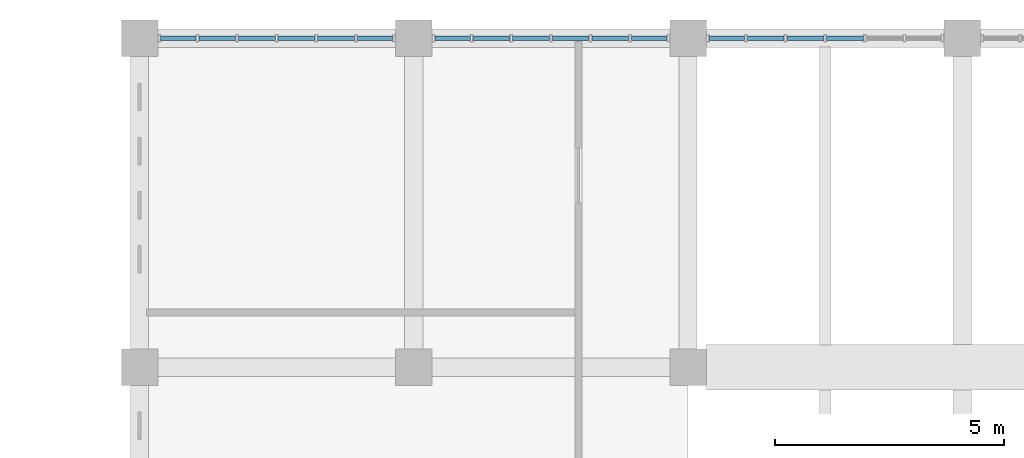
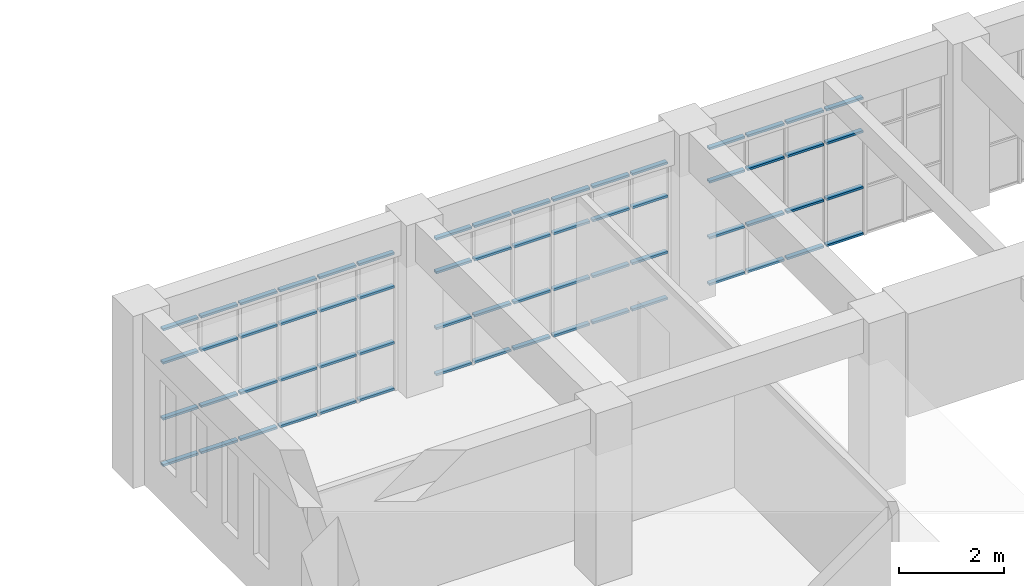
# One storey, part 23 of 47: 64 members, 3 elements without a shape of their own.
"""IFC4 building model written with IfcOpenShell, lengths in metres."""

from ifc_helpers import new_model, si_unit, direction, frame, origin, origin_2d, place, context, subcontext, project, spatial, hollow_rectangle, extrude, material, material_profile, profile_set, type_object, element, aggregate, save


model = new_model("IFC4")

# Units and contexts
model_context = context("Model", 3, precision=1e-05, world=origin(), true_north=direction((0.0, 1.0)))
body_context = subcontext(model_context, "Body", "Model", "MODEL_VIEW")
ifc_project = project(units=[si_unit("LENGTHUNIT", "METRE"), si_unit("AREAUNIT", "SQUARE_METRE"), si_unit("VOLUMEUNIT", "CUBIC_METRE"), si_unit("PLANEANGLEUNIT", "RADIAN"), si_unit("MASSUNIT", "GRAM", prefix="KILO")], contexts=[model_context])

# Site, building, storey
site_placement = place(None, origin())
site = spatial("IfcSite", under=ifc_project, at=site_placement, CompositionType="ELEMENT")
building_placement = place(site_placement, origin())
building = spatial("IfcBuilding", under=site, at=building_placement, Name="Laocheng Heights Fire and Rescue Headquarters", CompositionType="ELEMENT")
storey_placement = place(building_placement, frame((0.0, 0.0, 16.800048828125)))
storey = spatial("IfcBuildingStorey", under=building, at=storey_placement, Name="L04", CompositionType="ELEMENT", Elevation=16.800048828125)

# Curtain wall, members
ifc_material_1 = material(Name="Dark anodised aluminium unitised curtain wall, low-e double glazing", Category="aluminium")
curtain_wall_type = type_object("IfcCurtainWallType", Name="CW 5200 x 3200 HQ CONTROL ROOM FACE", PredefinedType="NOTDEFINED", material=ifc_material_1)
curtain_wall_1_placement = place(storey_placement, origin())
curtain_wall_1 = element("IfcCurtainWall", 1, at=curtain_wall_1_placement, inside=storey, type_object=curtain_wall_type, Name="X24-X HQ NORTH L04", PredefinedType="NOTDEFINED")
ifc_material_2 = material(Name="Dark anodised aluminium 6063-T5 extrusion", Category="aluminium")
ifc_material_profile = material_profile(ifc_material_2, hollow_rectangle(XDim=0.10009765625, YDim=0.050048828125, WallThickness=0.0029296875, at=origin_2d()), Name="AL TRANSOM 100x50x3 HQ CONTROL ROOM FACE")
ifc_profile_set = profile_set([ifc_material_profile], Name="Dark anodised aluminium 6063-T5 extrusion")
member_type = type_object("IfcMemberType", Name="AL TRANSOM 100x50x3 HQ CONTROL ROOM FACE", PredefinedType="USERDEFINED", material=ifc_profile_set)
member_1_placement = place(storey_placement, frame((36.4599609375, 72.0, 0.02490234375), z_axis=(1.0, 0.0, 0.0), x_axis=(0.0, 1.0, 0.0)))
member_1 = element("IfcMember", 2, at=member_1_placement, type_object=member_type, Name="X24-X transom 1.1", ObjectType="TRANSOM", PredefinedType="USERDEFINED", context=body_context, shape_type="SweptSolid", body=[
    extrude(hollow_rectangle(XDim=0.10009765625, YDim=0.050048828125, WallThickness=0.0029296875, at=origin_2d()), origin(), (0.0, 0.0, 1.0), 0.776611328125),
])
member_2_placement = place(storey_placement, frame((36.4599609375, 72.0, 1.099853515625), z_axis=(1.0, 0.0, 0.0), x_axis=(0.0, 1.0, 0.0)))
member_2 = element("IfcMember", 3, at=member_2_placement, type_object=member_type, Name="X24-X transom 1.2", ObjectType="TRANSOM", PredefinedType="USERDEFINED", context=body_context, shape_type="SweptSolid", body=[
    extrude(hollow_rectangle(XDim=0.10009765625, YDim=0.050048828125, WallThickness=0.0029296875, at=origin_2d()), origin(), (0.0, 0.0, 1.0), 0.776611328125),
])
member_3_placement = place(storey_placement, frame((36.4599609375, 72.0, 2.39990234375), z_axis=(1.0, 0.0, 0.0), x_axis=(0.0, 1.0, 0.0)))
member_3 = element("IfcMember", 4, at=member_3_placement, type_object=member_type, Name="X24-X transom 1.3", ObjectType="TRANSOM", PredefinedType="USERDEFINED", context=body_context, shape_type="SweptSolid", body=[
    extrude(hollow_rectangle(XDim=0.10009765625, YDim=0.050048828125, WallThickness=0.0029296875, at=origin_2d()), origin(), (0.0, 0.0, 1.0), 0.776611328125),
])
member_4_placement = place(storey_placement, frame((36.4599609375, 72.0, 3.175048828125), z_axis=(1.0, 0.0, 0.0), x_axis=(0.0, 1.0, 0.0)))
member_4 = element("IfcMember", 5, at=member_4_placement, type_object=member_type, Name="X24-X transom 1.4", ObjectType="TRANSOM", PredefinedType="USERDEFINED", context=body_context, shape_type="SweptSolid", body=[
    extrude(hollow_rectangle(XDim=0.10009765625, YDim=0.050048828125, WallThickness=0.0029296875, at=origin_2d()), origin(), (0.0, 0.0, 1.0), 0.776611328125),
])
member_5_placement = place(storey_placement, frame((37.296630859375, 72.0, 0.02490234375), z_axis=(1.0, 0.0, 0.0), x_axis=(0.0, 1.0, 0.0)))
member_5 = element("IfcMember", 6, at=member_5_placement, type_object=member_type, Name="X24-X transom 2.1", ObjectType="TRANSOM", PredefinedType="USERDEFINED", context=body_context, shape_type="SweptSolid", body=[
    extrude(hollow_rectangle(XDim=0.10009765625, YDim=0.050048828125, WallThickness=0.0029296875, at=origin_2d()), origin(), (0.0, 0.0, 1.0), 0.806640625),
])
member_6_placement = place(storey_placement, frame((37.296630859375, 72.0, 1.099853515625), z_axis=(1.0, 0.0, 0.0), x_axis=(0.0, 1.0, 0.0)))
member_6 = element("IfcMember", 7, at=member_6_placement, type_object=member_type, Name="X24-X transom 2.2", ObjectType="TRANSOM", PredefinedType="USERDEFINED", context=body_context, shape_type="SweptSolid", body=[
    extrude(hollow_rectangle(XDim=0.10009765625, YDim=0.050048828125, WallThickness=0.0029296875, at=origin_2d()), origin(), (0.0, 0.0, 1.0), 0.806640625),
])
member_7_placement = place(storey_placement, frame((37.296630859375, 72.0, 2.39990234375), z_axis=(1.0, 0.0, 0.0), x_axis=(0.0, 1.0, 0.0)))
member_7 = element("IfcMember", 8, at=member_7_placement, type_object=member_type, Name="X24-X transom 2.3", ObjectType="TRANSOM", PredefinedType="USERDEFINED", context=body_context, shape_type="SweptSolid", body=[
    extrude(hollow_rectangle(XDim=0.10009765625, YDim=0.050048828125, WallThickness=0.0029296875, at=origin_2d()), origin(), (0.0, 0.0, 1.0), 0.806640625),
])
member_8_placement = place(storey_placement, frame((37.296630859375, 72.0, 3.175048828125), z_axis=(1.0, 0.0, 0.0), x_axis=(0.0, 1.0, 0.0)))
member_8 = element("IfcMember", 9, at=member_8_placement, type_object=member_type, Name="X24-X transom 2.4", ObjectType="TRANSOM", PredefinedType="USERDEFINED", context=body_context, shape_type="SweptSolid", body=[
    extrude(hollow_rectangle(XDim=0.10009765625, YDim=0.050048828125, WallThickness=0.0029296875, at=origin_2d()), origin(), (0.0, 0.0, 1.0), 0.806640625),
])
member_9_placement = place(storey_placement, frame((38.163330078125, 72.0, 0.02490234375), z_axis=(1.0, 0.0, 0.0), x_axis=(0.0, 1.0, 0.0)))
member_9 = element("IfcMember", 10, at=member_9_placement, type_object=member_type, Name="X24-X transom 3.1", ObjectType="TRANSOM", PredefinedType="USERDEFINED", context=body_context, shape_type="SweptSolid", body=[
    extrude(hollow_rectangle(XDim=0.10009765625, YDim=0.050048828125, WallThickness=0.0029296875, at=origin_2d()), origin(), (0.0, 0.0, 1.0), 0.806640625),
])
member_10_placement = place(storey_placement, frame((38.163330078125, 72.0, 1.099853515625), z_axis=(1.0, 0.0, 0.0), x_axis=(0.0, 1.0, 0.0)))
member_10 = element("IfcMember", 11, at=member_10_placement, type_object=member_type, Name="X24-X transom 3.2", ObjectType="TRANSOM", PredefinedType="USERDEFINED", context=body_context, shape_type="SweptSolid", body=[
    extrude(hollow_rectangle(XDim=0.10009765625, YDim=0.050048828125, WallThickness=0.0029296875, at=origin_2d()), origin(), (0.0, 0.0, 1.0), 0.806640625),
])
member_11_placement = place(storey_placement, frame((38.163330078125, 72.0, 2.39990234375), z_axis=(1.0, 0.0, 0.0), x_axis=(0.0, 1.0, 0.0)))
member_11 = element("IfcMember", 12, at=member_11_placement, type_object=member_type, Name="X24-X transom 3.3", ObjectType="TRANSOM", PredefinedType="USERDEFINED", context=body_context, shape_type="SweptSolid", body=[
    extrude(hollow_rectangle(XDim=0.10009765625, YDim=0.050048828125, WallThickness=0.0029296875, at=origin_2d()), origin(), (0.0, 0.0, 1.0), 0.806640625),
])
member_12_placement = place(storey_placement, frame((38.163330078125, 72.0, 3.175048828125), z_axis=(1.0, 0.0, 0.0), x_axis=(0.0, 1.0, 0.0)))
member_12 = element("IfcMember", 13, at=member_12_placement, type_object=member_type, Name="X24-X transom 3.4", ObjectType="TRANSOM", PredefinedType="USERDEFINED", context=body_context, shape_type="SweptSolid", body=[
    extrude(hollow_rectangle(XDim=0.10009765625, YDim=0.050048828125, WallThickness=0.0029296875, at=origin_2d()), origin(), (0.0, 0.0, 1.0), 0.806640625),
])
member_13_placement = place(storey_placement, frame((39.030029296875, 72.0, 0.02490234375), z_axis=(1.0, 0.0, 0.0), x_axis=(0.0, 1.0, 0.0)))
member_13 = element("IfcMember", 14, at=member_13_placement, type_object=member_type, Name="X24-X transom 4.1", ObjectType="TRANSOM", PredefinedType="USERDEFINED", context=body_context, shape_type="SweptSolid", body=[
    extrude(hollow_rectangle(XDim=0.10009765625, YDim=0.050048828125, WallThickness=0.0029296875, at=origin_2d()), origin(), (0.0, 0.0, 1.0), 0.806640625),
])
member_14_placement = place(storey_placement, frame((39.030029296875, 72.0, 1.099853515625), z_axis=(1.0, 0.0, 0.0), x_axis=(0.0, 1.0, 0.0)))
member_14 = element("IfcMember", 15, at=member_14_placement, type_object=member_type, Name="X24-X transom 4.2", ObjectType="TRANSOM", PredefinedType="USERDEFINED", context=body_context, shape_type="SweptSolid", body=[
    extrude(hollow_rectangle(XDim=0.10009765625, YDim=0.050048828125, WallThickness=0.0029296875, at=origin_2d()), origin(), (0.0, 0.0, 1.0), 0.806640625),
])
member_15_placement = place(storey_placement, frame((39.030029296875, 72.0, 2.39990234375), z_axis=(1.0, 0.0, 0.0), x_axis=(0.0, 1.0, 0.0)))
member_15 = element("IfcMember", 16, at=member_15_placement, type_object=member_type, Name="X24-X transom 4.3", ObjectType="TRANSOM", PredefinedType="USERDEFINED", context=body_context, shape_type="SweptSolid", body=[
    extrude(hollow_rectangle(XDim=0.10009765625, YDim=0.050048828125, WallThickness=0.0029296875, at=origin_2d()), origin(), (0.0, 0.0, 1.0), 0.806640625),
])
member_16_placement = place(storey_placement, frame((39.030029296875, 72.0, 3.175048828125), z_axis=(1.0, 0.0, 0.0), x_axis=(0.0, 1.0, 0.0)))
member_16 = element("IfcMember", 17, at=member_16_placement, type_object=member_type, Name="X24-X transom 4.4", ObjectType="TRANSOM", PredefinedType="USERDEFINED", context=body_context, shape_type="SweptSolid", body=[
    extrude(hollow_rectangle(XDim=0.10009765625, YDim=0.050048828125, WallThickness=0.0029296875, at=origin_2d()), origin(), (0.0, 0.0, 1.0), 0.806640625),
])
member_17_placement = place(storey_placement, frame((39.896728515625, 72.0, 0.02490234375), z_axis=(1.0, 0.0, 0.0), x_axis=(0.0, 1.0, 0.0)))
member_17 = element("IfcMember", 18, at=member_17_placement, type_object=member_type, Name="X24-X transom 5.1", ObjectType="TRANSOM", PredefinedType="USERDEFINED", context=body_context, shape_type="SweptSolid", body=[
    extrude(hollow_rectangle(XDim=0.10009765625, YDim=0.050048828125, WallThickness=0.0029296875, at=origin_2d()), origin(), (0.0, 0.0, 1.0), 0.806640625),
])
member_18_placement = place(storey_placement, frame((39.896728515625, 72.0, 1.099853515625), z_axis=(1.0, 0.0, 0.0), x_axis=(0.0, 1.0, 0.0)))
member_18 = element("IfcMember", 19, at=member_18_placement, type_object=member_type, Name="X24-X transom 5.2", ObjectType="TRANSOM", PredefinedType="USERDEFINED", context=body_context, shape_type="SweptSolid", body=[
    extrude(hollow_rectangle(XDim=0.10009765625, YDim=0.050048828125, WallThickness=0.0029296875, at=origin_2d()), origin(), (0.0, 0.0, 1.0), 0.806640625),
])
member_19_placement = place(storey_placement, frame((39.896728515625, 72.0, 2.39990234375), z_axis=(1.0, 0.0, 0.0), x_axis=(0.0, 1.0, 0.0)))
member_19 = element("IfcMember", 20, at=member_19_placement, type_object=member_type, Name="X24-X transom 5.3", ObjectType="TRANSOM", PredefinedType="USERDEFINED", context=body_context, shape_type="SweptSolid", body=[
    extrude(hollow_rectangle(XDim=0.10009765625, YDim=0.050048828125, WallThickness=0.0029296875, at=origin_2d()), origin(), (0.0, 0.0, 1.0), 0.806640625),
])
member_20_placement = place(storey_placement, frame((39.896728515625, 72.0, 3.175048828125), z_axis=(1.0, 0.0, 0.0), x_axis=(0.0, 1.0, 0.0)))
member_20 = element("IfcMember", 21, at=member_20_placement, type_object=member_type, Name="X24-X transom 5.4", ObjectType="TRANSOM", PredefinedType="USERDEFINED", context=body_context, shape_type="SweptSolid", body=[
    extrude(hollow_rectangle(XDim=0.10009765625, YDim=0.050048828125, WallThickness=0.0029296875, at=origin_2d()), origin(), (0.0, 0.0, 1.0), 0.806640625),
])
member_21_placement = place(storey_placement, frame((40.763427734375, 72.0, 0.02490234375), z_axis=(1.0, 0.0, 0.0), x_axis=(0.0, 1.0, 0.0)))
member_21 = element("IfcMember", 22, at=member_21_placement, type_object=member_type, Name="X24-X transom 6.1", ObjectType="TRANSOM", PredefinedType="USERDEFINED", context=body_context, shape_type="SweptSolid", body=[
    extrude(hollow_rectangle(XDim=0.10009765625, YDim=0.050048828125, WallThickness=0.0029296875, at=origin_2d()), origin(), (0.0, 0.0, 1.0), 0.776611328125),
])
member_22_placement = place(storey_placement, frame((40.763427734375, 72.0, 1.099853515625), z_axis=(1.0, 0.0, 0.0), x_axis=(0.0, 1.0, 0.0)))
member_22 = element("IfcMember", 23, at=member_22_placement, type_object=member_type, Name="X24-X transom 6.2", ObjectType="TRANSOM", PredefinedType="USERDEFINED", context=body_context, shape_type="SweptSolid", body=[
    extrude(hollow_rectangle(XDim=0.10009765625, YDim=0.050048828125, WallThickness=0.0029296875, at=origin_2d()), origin(), (0.0, 0.0, 1.0), 0.776611328125),
])
member_23_placement = place(storey_placement, frame((40.763427734375, 72.0, 2.39990234375), z_axis=(1.0, 0.0, 0.0), x_axis=(0.0, 1.0, 0.0)))
member_23 = element("IfcMember", 24, at=member_23_placement, type_object=member_type, Name="X24-X transom 6.3", ObjectType="TRANSOM", PredefinedType="USERDEFINED", context=body_context, shape_type="SweptSolid", body=[
    extrude(hollow_rectangle(XDim=0.10009765625, YDim=0.050048828125, WallThickness=0.0029296875, at=origin_2d()), origin(), (0.0, 0.0, 1.0), 0.776611328125),
])
member_24_placement = place(storey_placement, frame((40.763427734375, 72.0, 3.175048828125), z_axis=(1.0, 0.0, 0.0), x_axis=(0.0, 1.0, 0.0)))
member_24 = element("IfcMember", 25, at=member_24_placement, type_object=member_type, Name="X24-X transom 6.4", ObjectType="TRANSOM", PredefinedType="USERDEFINED", context=body_context, shape_type="SweptSolid", body=[
    extrude(hollow_rectangle(XDim=0.10009765625, YDim=0.050048828125, WallThickness=0.0029296875, at=origin_2d()), origin(), (0.0, 0.0, 1.0), 0.776611328125),
])
aggregate(curtain_wall_1, [member_1, member_2, member_3, member_4, member_5, member_6, member_7, member_8, member_9, member_10, member_11, member_12, member_13, member_14, member_15, member_16, member_17, member_18, member_19, member_20, member_21, member_22, member_23, member_24])

curtain_wall_2_placement = place(storey_placement, origin())
curtain_wall_2 = element("IfcCurtainWall", 26, at=curtain_wall_2_placement, inside=storey, type_object=curtain_wall_type, Name="X24-X HQ NORTH L04", PredefinedType="NOTDEFINED")
member_25_placement = place(storey_placement, frame((42.4599609375, 72.0, 0.02490234375), z_axis=(1.0, 0.0, 0.0), x_axis=(0.0, 1.0, 0.0)))
member_25 = element("IfcMember", 27, at=member_25_placement, type_object=member_type, Name="X24-X transom 1.1", ObjectType="TRANSOM", PredefinedType="USERDEFINED", context=body_context, shape_type="SweptSolid", body=[
    extrude(hollow_rectangle(XDim=0.10009765625, YDim=0.050048828125, WallThickness=0.0029296875, at=origin_2d()), origin(), (0.0, 0.0, 1.0), 0.776611328125),
])
member_26_placement = place(storey_placement, frame((42.4599609375, 72.0, 1.099853515625), z_axis=(1.0, 0.0, 0.0), x_axis=(0.0, 1.0, 0.0)))
member_26 = element("IfcMember", 28, at=member_26_placement, type_object=member_type, Name="X24-X transom 1.2", ObjectType="TRANSOM", PredefinedType="USERDEFINED", context=body_context, shape_type="SweptSolid", body=[
    extrude(hollow_rectangle(XDim=0.10009765625, YDim=0.050048828125, WallThickness=0.0029296875, at=origin_2d()), origin(), (0.0, 0.0, 1.0), 0.776611328125),
])
member_27_placement = place(storey_placement, frame((42.4599609375, 72.0, 2.39990234375), z_axis=(1.0, 0.0, 0.0), x_axis=(0.0, 1.0, 0.0)))
member_27 = element("IfcMember", 29, at=member_27_placement, type_object=member_type, Name="X24-X transom 1.3", ObjectType="TRANSOM", PredefinedType="USERDEFINED", context=body_context, shape_type="SweptSolid", body=[
    extrude(hollow_rectangle(XDim=0.10009765625, YDim=0.050048828125, WallThickness=0.0029296875, at=origin_2d()), origin(), (0.0, 0.0, 1.0), 0.776611328125),
])
member_28_placement = place(storey_placement, frame((42.4599609375, 72.0, 3.175048828125), z_axis=(1.0, 0.0, 0.0), x_axis=(0.0, 1.0, 0.0)))
member_28 = element("IfcMember", 30, at=member_28_placement, type_object=member_type, Name="X24-X transom 1.4", ObjectType="TRANSOM", PredefinedType="USERDEFINED", context=body_context, shape_type="SweptSolid", body=[
    extrude(hollow_rectangle(XDim=0.10009765625, YDim=0.050048828125, WallThickness=0.0029296875, at=origin_2d()), origin(), (0.0, 0.0, 1.0), 0.776611328125),
])
member_29_placement = place(storey_placement, frame((43.296630859375, 72.0, 0.02490234375), z_axis=(1.0, 0.0, 0.0), x_axis=(0.0, 1.0, 0.0)))
member_29 = element("IfcMember", 31, at=member_29_placement, type_object=member_type, Name="X24-X transom 2.1", ObjectType="TRANSOM", PredefinedType="USERDEFINED", context=body_context, shape_type="SweptSolid", body=[
    extrude(hollow_rectangle(XDim=0.10009765625, YDim=0.050048828125, WallThickness=0.0029296875, at=origin_2d()), origin(), (0.0, 0.0, 1.0), 0.806640625),
])
member_30_placement = place(storey_placement, frame((43.296630859375, 72.0, 1.099853515625), z_axis=(1.0, 0.0, 0.0), x_axis=(0.0, 1.0, 0.0)))
member_30 = element("IfcMember", 32, at=member_30_placement, type_object=member_type, Name="X24-X transom 2.2", ObjectType="TRANSOM", PredefinedType="USERDEFINED", context=body_context, shape_type="SweptSolid", body=[
    extrude(hollow_rectangle(XDim=0.10009765625, YDim=0.050048828125, WallThickness=0.0029296875, at=origin_2d()), origin(), (0.0, 0.0, 1.0), 0.806640625),
])
member_31_placement = place(storey_placement, frame((43.296630859375, 72.0, 2.39990234375), z_axis=(1.0, 0.0, 0.0), x_axis=(0.0, 1.0, 0.0)))
member_31 = element("IfcMember", 33, at=member_31_placement, type_object=member_type, Name="X24-X transom 2.3", ObjectType="TRANSOM", PredefinedType="USERDEFINED", context=body_context, shape_type="SweptSolid", body=[
    extrude(hollow_rectangle(XDim=0.10009765625, YDim=0.050048828125, WallThickness=0.0029296875, at=origin_2d()), origin(), (0.0, 0.0, 1.0), 0.806640625),
])
member_32_placement = place(storey_placement, frame((43.296630859375, 72.0, 3.175048828125), z_axis=(1.0, 0.0, 0.0), x_axis=(0.0, 1.0, 0.0)))
member_32 = element("IfcMember", 34, at=member_32_placement, type_object=member_type, Name="X24-X transom 2.4", ObjectType="TRANSOM", PredefinedType="USERDEFINED", context=body_context, shape_type="SweptSolid", body=[
    extrude(hollow_rectangle(XDim=0.10009765625, YDim=0.050048828125, WallThickness=0.0029296875, at=origin_2d()), origin(), (0.0, 0.0, 1.0), 0.806640625),
])
member_33_placement = place(storey_placement, frame((44.163330078125, 72.0, 0.02490234375), z_axis=(1.0, 0.0, 0.0), x_axis=(0.0, 1.0, 0.0)))
member_33 = element("IfcMember", 35, at=member_33_placement, type_object=member_type, Name="X24-X transom 3.1", ObjectType="TRANSOM", PredefinedType="USERDEFINED", context=body_context, shape_type="SweptSolid", body=[
    extrude(hollow_rectangle(XDim=0.10009765625, YDim=0.050048828125, WallThickness=0.0029296875, at=origin_2d()), origin(), (0.0, 0.0, 1.0), 0.806640625),
])
member_34_placement = place(storey_placement, frame((44.163330078125, 72.0, 1.099853515625), z_axis=(1.0, 0.0, 0.0), x_axis=(0.0, 1.0, 0.0)))
member_34 = element("IfcMember", 36, at=member_34_placement, type_object=member_type, Name="X24-X transom 3.2", ObjectType="TRANSOM", PredefinedType="USERDEFINED", context=body_context, shape_type="SweptSolid", body=[
    extrude(hollow_rectangle(XDim=0.10009765625, YDim=0.050048828125, WallThickness=0.0029296875, at=origin_2d()), origin(), (0.0, 0.0, 1.0), 0.806640625),
])
member_35_placement = place(storey_placement, frame((44.163330078125, 72.0, 2.39990234375), z_axis=(1.0, 0.0, 0.0), x_axis=(0.0, 1.0, 0.0)))
member_35 = element("IfcMember", 37, at=member_35_placement, type_object=member_type, Name="X24-X transom 3.3", ObjectType="TRANSOM", PredefinedType="USERDEFINED", context=body_context, shape_type="SweptSolid", body=[
    extrude(hollow_rectangle(XDim=0.10009765625, YDim=0.050048828125, WallThickness=0.0029296875, at=origin_2d()), origin(), (0.0, 0.0, 1.0), 0.806640625),
])
member_36_placement = place(storey_placement, frame((44.163330078125, 72.0, 3.175048828125), z_axis=(1.0, 0.0, 0.0), x_axis=(0.0, 1.0, 0.0)))
member_36 = element("IfcMember", 38, at=member_36_placement, type_object=member_type, Name="X24-X transom 3.4", ObjectType="TRANSOM", PredefinedType="USERDEFINED", context=body_context, shape_type="SweptSolid", body=[
    extrude(hollow_rectangle(XDim=0.10009765625, YDim=0.050048828125, WallThickness=0.0029296875, at=origin_2d()), origin(), (0.0, 0.0, 1.0), 0.806640625),
])
member_37_placement = place(storey_placement, frame((45.030029296875, 72.0, 0.02490234375), z_axis=(1.0, 0.0, 0.0), x_axis=(0.0, 1.0, 0.0)))
member_37 = element("IfcMember", 39, at=member_37_placement, type_object=member_type, Name="X24-X transom 4.1", ObjectType="TRANSOM", PredefinedType="USERDEFINED", context=body_context, shape_type="SweptSolid", body=[
    extrude(hollow_rectangle(XDim=0.10009765625, YDim=0.050048828125, WallThickness=0.0029296875, at=origin_2d()), origin(), (0.0, 0.0, 1.0), 0.806640625),
])
member_38_placement = place(storey_placement, frame((45.030029296875, 72.0, 1.099853515625), z_axis=(1.0, 0.0, 0.0), x_axis=(0.0, 1.0, 0.0)))
member_38 = element("IfcMember", 40, at=member_38_placement, type_object=member_type, Name="X24-X transom 4.2", ObjectType="TRANSOM", PredefinedType="USERDEFINED", context=body_context, shape_type="SweptSolid", body=[
    extrude(hollow_rectangle(XDim=0.10009765625, YDim=0.050048828125, WallThickness=0.0029296875, at=origin_2d()), origin(), (0.0, 0.0, 1.0), 0.806640625),
])
member_39_placement = place(storey_placement, frame((45.030029296875, 72.0, 2.39990234375), z_axis=(1.0, 0.0, 0.0), x_axis=(0.0, 1.0, 0.0)))
member_39 = element("IfcMember", 41, at=member_39_placement, type_object=member_type, Name="X24-X transom 4.3", ObjectType="TRANSOM", PredefinedType="USERDEFINED", context=body_context, shape_type="SweptSolid", body=[
    extrude(hollow_rectangle(XDim=0.10009765625, YDim=0.050048828125, WallThickness=0.0029296875, at=origin_2d()), origin(), (0.0, 0.0, 1.0), 0.806640625),
])
member_40_placement = place(storey_placement, frame((45.030029296875, 72.0, 3.175048828125), z_axis=(1.0, 0.0, 0.0), x_axis=(0.0, 1.0, 0.0)))
member_40 = element("IfcMember", 42, at=member_40_placement, type_object=member_type, Name="X24-X transom 4.4", ObjectType="TRANSOM", PredefinedType="USERDEFINED", context=body_context, shape_type="SweptSolid", body=[
    extrude(hollow_rectangle(XDim=0.10009765625, YDim=0.050048828125, WallThickness=0.0029296875, at=origin_2d()), origin(), (0.0, 0.0, 1.0), 0.806640625),
])
member_41_placement = place(storey_placement, frame((45.896728515625, 72.0, 0.02490234375), z_axis=(1.0, 0.0, 0.0), x_axis=(0.0, 1.0, 0.0)))
member_41 = element("IfcMember", 43, at=member_41_placement, type_object=member_type, Name="X24-X transom 5.1", ObjectType="TRANSOM", PredefinedType="USERDEFINED", context=body_context, shape_type="SweptSolid", body=[
    extrude(hollow_rectangle(XDim=0.10009765625, YDim=0.050048828125, WallThickness=0.0029296875, at=origin_2d()), origin(), (0.0, 0.0, 1.0), 0.806640625),
])
member_42_placement = place(storey_placement, frame((45.896728515625, 72.0, 1.099853515625), z_axis=(1.0, 0.0, 0.0), x_axis=(0.0, 1.0, 0.0)))
member_42 = element("IfcMember", 44, at=member_42_placement, type_object=member_type, Name="X24-X transom 5.2", ObjectType="TRANSOM", PredefinedType="USERDEFINED", context=body_context, shape_type="SweptSolid", body=[
    extrude(hollow_rectangle(XDim=0.10009765625, YDim=0.050048828125, WallThickness=0.0029296875, at=origin_2d()), origin(), (0.0, 0.0, 1.0), 0.806640625),
])
member_43_placement = place(storey_placement, frame((45.896728515625, 72.0, 2.39990234375), z_axis=(1.0, 0.0, 0.0), x_axis=(0.0, 1.0, 0.0)))
member_43 = element("IfcMember", 45, at=member_43_placement, type_object=member_type, Name="X24-X transom 5.3", ObjectType="TRANSOM", PredefinedType="USERDEFINED", context=body_context, shape_type="SweptSolid", body=[
    extrude(hollow_rectangle(XDim=0.10009765625, YDim=0.050048828125, WallThickness=0.0029296875, at=origin_2d()), origin(), (0.0, 0.0, 1.0), 0.806640625),
])
member_44_placement = place(storey_placement, frame((45.896728515625, 72.0, 3.175048828125), z_axis=(1.0, 0.0, 0.0), x_axis=(0.0, 1.0, 0.0)))
member_44 = element("IfcMember", 46, at=member_44_placement, type_object=member_type, Name="X24-X transom 5.4", ObjectType="TRANSOM", PredefinedType="USERDEFINED", context=body_context, shape_type="SweptSolid", body=[
    extrude(hollow_rectangle(XDim=0.10009765625, YDim=0.050048828125, WallThickness=0.0029296875, at=origin_2d()), origin(), (0.0, 0.0, 1.0), 0.806640625),
])
member_45_placement = place(storey_placement, frame((46.763427734375, 72.0, 0.02490234375), z_axis=(1.0, 0.0, 0.0), x_axis=(0.0, 1.0, 0.0)))
member_45 = element("IfcMember", 47, at=member_45_placement, type_object=member_type, Name="X24-X transom 6.1", ObjectType="TRANSOM", PredefinedType="USERDEFINED", context=body_context, shape_type="SweptSolid", body=[
    extrude(hollow_rectangle(XDim=0.10009765625, YDim=0.050048828125, WallThickness=0.0029296875, at=origin_2d()), origin(), (0.0, 0.0, 1.0), 0.776611328125),
])
member_46_placement = place(storey_placement, frame((46.763427734375, 72.0, 1.099853515625), z_axis=(1.0, 0.0, 0.0), x_axis=(0.0, 1.0, 0.0)))
member_46 = element("IfcMember", 48, at=member_46_placement, type_object=member_type, Name="X24-X transom 6.2", ObjectType="TRANSOM", PredefinedType="USERDEFINED", context=body_context, shape_type="SweptSolid", body=[
    extrude(hollow_rectangle(XDim=0.10009765625, YDim=0.050048828125, WallThickness=0.0029296875, at=origin_2d()), origin(), (0.0, 0.0, 1.0), 0.776611328125),
])
member_47_placement = place(storey_placement, frame((46.763427734375, 72.0, 2.39990234375), z_axis=(1.0, 0.0, 0.0), x_axis=(0.0, 1.0, 0.0)))
member_47 = element("IfcMember", 49, at=member_47_placement, type_object=member_type, Name="X24-X transom 6.3", ObjectType="TRANSOM", PredefinedType="USERDEFINED", context=body_context, shape_type="SweptSolid", body=[
    extrude(hollow_rectangle(XDim=0.10009765625, YDim=0.050048828125, WallThickness=0.0029296875, at=origin_2d()), origin(), (0.0, 0.0, 1.0), 0.776611328125),
])
member_48_placement = place(storey_placement, frame((46.763427734375, 72.0, 3.175048828125), z_axis=(1.0, 0.0, 0.0), x_axis=(0.0, 1.0, 0.0)))
member_48 = element("IfcMember", 50, at=member_48_placement, type_object=member_type, Name="X24-X transom 6.4", ObjectType="TRANSOM", PredefinedType="USERDEFINED", context=body_context, shape_type="SweptSolid", body=[
    extrude(hollow_rectangle(XDim=0.10009765625, YDim=0.050048828125, WallThickness=0.0029296875, at=origin_2d()), origin(), (0.0, 0.0, 1.0), 0.776611328125),
])
aggregate(curtain_wall_2, [member_25, member_26, member_27, member_28, member_29, member_30, member_31, member_32, member_33, member_34, member_35, member_36, member_37, member_38, member_39, member_40, member_41, member_42, member_43, member_44, member_45, member_46, member_47, member_48])

curtain_wall_3_placement = place(storey_placement, origin())
curtain_wall_3 = element("IfcCurtainWall", 51, at=curtain_wall_3_placement, inside=storey, type_object=curtain_wall_type, Name="X24-X HQ NORTH L04", PredefinedType="NOTDEFINED")
member_49_placement = place(storey_placement, frame((48.4599609375, 72.0, 0.02490234375), z_axis=(1.0, 0.0, 0.0), x_axis=(0.0, 1.0, 0.0)))
member_49 = element("IfcMember", 52, at=member_49_placement, type_object=member_type, Name="X24-X transom 1.1", ObjectType="TRANSOM", PredefinedType="USERDEFINED", context=body_context, shape_type="SweptSolid", body=[
    extrude(hollow_rectangle(XDim=0.10009765625, YDim=0.050048828125, WallThickness=0.0029296875, at=origin_2d()), origin(), (0.0, 0.0, 1.0), 0.776611328125),
])
member_50_placement = place(storey_placement, frame((48.4599609375, 72.0, 1.099853515625), z_axis=(1.0, 0.0, 0.0), x_axis=(0.0, 1.0, 0.0)))
member_50 = element("IfcMember", 53, at=member_50_placement, type_object=member_type, Name="X24-X transom 1.2", ObjectType="TRANSOM", PredefinedType="USERDEFINED", context=body_context, shape_type="SweptSolid", body=[
    extrude(hollow_rectangle(XDim=0.10009765625, YDim=0.050048828125, WallThickness=0.0029296875, at=origin_2d()), origin(), (0.0, 0.0, 1.0), 0.776611328125),
])
member_51_placement = place(storey_placement, frame((48.4599609375, 72.0, 2.39990234375), z_axis=(1.0, 0.0, 0.0), x_axis=(0.0, 1.0, 0.0)))
member_51 = element("IfcMember", 54, at=member_51_placement, type_object=member_type, Name="X24-X transom 1.3", ObjectType="TRANSOM", PredefinedType="USERDEFINED", context=body_context, shape_type="SweptSolid", body=[
    extrude(hollow_rectangle(XDim=0.10009765625, YDim=0.050048828125, WallThickness=0.0029296875, at=origin_2d()), origin(), (0.0, 0.0, 1.0), 0.776611328125),
])
member_52_placement = place(storey_placement, frame((48.4599609375, 72.0, 3.175048828125), z_axis=(1.0, 0.0, 0.0), x_axis=(0.0, 1.0, 0.0)))
member_52 = element("IfcMember", 55, at=member_52_placement, type_object=member_type, Name="X24-X transom 1.4", ObjectType="TRANSOM", PredefinedType="USERDEFINED", context=body_context, shape_type="SweptSolid", body=[
    extrude(hollow_rectangle(XDim=0.10009765625, YDim=0.050048828125, WallThickness=0.0029296875, at=origin_2d()), origin(), (0.0, 0.0, 1.0), 0.776611328125),
])
member_53_placement = place(storey_placement, frame((49.296630859375, 72.0, 0.02490234375), z_axis=(1.0, 0.0, 0.0), x_axis=(0.0, 1.0, 0.0)))
member_53 = element("IfcMember", 56, at=member_53_placement, type_object=member_type, Name="X24-X transom 2.1", ObjectType="TRANSOM", PredefinedType="USERDEFINED", context=body_context, shape_type="SweptSolid", body=[
    extrude(hollow_rectangle(XDim=0.10009765625, YDim=0.050048828125, WallThickness=0.0029296875, at=origin_2d()), origin(), (0.0, 0.0, 1.0), 0.806640625),
])
member_54_placement = place(storey_placement, frame((49.296630859375, 72.0, 1.099853515625), z_axis=(1.0, 0.0, 0.0), x_axis=(0.0, 1.0, 0.0)))
member_54 = element("IfcMember", 57, at=member_54_placement, type_object=member_type, Name="X24-X transom 2.2", ObjectType="TRANSOM", PredefinedType="USERDEFINED", context=body_context, shape_type="SweptSolid", body=[
    extrude(hollow_rectangle(XDim=0.10009765625, YDim=0.050048828125, WallThickness=0.0029296875, at=origin_2d()), origin(), (0.0, 0.0, 1.0), 0.806640625),
])
member_55_placement = place(storey_placement, frame((49.296630859375, 72.0, 2.39990234375), z_axis=(1.0, 0.0, 0.0), x_axis=(0.0, 1.0, 0.0)))
member_55 = element("IfcMember", 58, at=member_55_placement, type_object=member_type, Name="X24-X transom 2.3", ObjectType="TRANSOM", PredefinedType="USERDEFINED", context=body_context, shape_type="SweptSolid", body=[
    extrude(hollow_rectangle(XDim=0.10009765625, YDim=0.050048828125, WallThickness=0.0029296875, at=origin_2d()), origin(), (0.0, 0.0, 1.0), 0.806640625),
])
member_56_placement = place(storey_placement, frame((49.296630859375, 72.0, 3.175048828125), z_axis=(1.0, 0.0, 0.0), x_axis=(0.0, 1.0, 0.0)))
member_56 = element("IfcMember", 59, at=member_56_placement, type_object=member_type, Name="X24-X transom 2.4", ObjectType="TRANSOM", PredefinedType="USERDEFINED", context=body_context, shape_type="SweptSolid", body=[
    extrude(hollow_rectangle(XDim=0.10009765625, YDim=0.050048828125, WallThickness=0.0029296875, at=origin_2d()), origin(), (0.0, 0.0, 1.0), 0.806640625),
])
member_57_placement = place(storey_placement, frame((50.163330078125, 72.0, 0.02490234375), z_axis=(1.0, 0.0, 0.0), x_axis=(0.0, 1.0, 0.0)))
member_57 = element("IfcMember", 60, at=member_57_placement, type_object=member_type, Name="X24-X transom 3.1", ObjectType="TRANSOM", PredefinedType="USERDEFINED", context=body_context, shape_type="SweptSolid", body=[
    extrude(hollow_rectangle(XDim=0.10009765625, YDim=0.050048828125, WallThickness=0.0029296875, at=origin_2d()), origin(), (0.0, 0.0, 1.0), 0.806640625),
])
member_58_placement = place(storey_placement, frame((50.163330078125, 72.0, 1.099853515625), z_axis=(1.0, 0.0, 0.0), x_axis=(0.0, 1.0, 0.0)))
member_58 = element("IfcMember", 61, at=member_58_placement, type_object=member_type, Name="X24-X transom 3.2", ObjectType="TRANSOM", PredefinedType="USERDEFINED", context=body_context, shape_type="SweptSolid", body=[
    extrude(hollow_rectangle(XDim=0.10009765625, YDim=0.050048828125, WallThickness=0.0029296875, at=origin_2d()), origin(), (0.0, 0.0, 1.0), 0.806640625),
])
member_59_placement = place(storey_placement, frame((50.163330078125, 72.0, 2.39990234375), z_axis=(1.0, 0.0, 0.0), x_axis=(0.0, 1.0, 0.0)))
member_59 = element("IfcMember", 62, at=member_59_placement, type_object=member_type, Name="X24-X transom 3.3", ObjectType="TRANSOM", PredefinedType="USERDEFINED", context=body_context, shape_type="SweptSolid", body=[
    extrude(hollow_rectangle(XDim=0.10009765625, YDim=0.050048828125, WallThickness=0.0029296875, at=origin_2d()), origin(), (0.0, 0.0, 1.0), 0.806640625),
])
member_60_placement = place(storey_placement, frame((50.163330078125, 72.0, 3.175048828125), z_axis=(1.0, 0.0, 0.0), x_axis=(0.0, 1.0, 0.0)))
member_60 = element("IfcMember", 63, at=member_60_placement, type_object=member_type, Name="X24-X transom 3.4", ObjectType="TRANSOM", PredefinedType="USERDEFINED", context=body_context, shape_type="SweptSolid", body=[
    extrude(hollow_rectangle(XDim=0.10009765625, YDim=0.050048828125, WallThickness=0.0029296875, at=origin_2d()), origin(), (0.0, 0.0, 1.0), 0.806640625),
])
member_61_placement = place(storey_placement, frame((51.030029296875, 72.0, 0.02490234375), z_axis=(1.0, 0.0, 0.0), x_axis=(0.0, 1.0, 0.0)))
member_61 = element("IfcMember", 64, at=member_61_placement, type_object=member_type, Name="X24-X transom 4.1", ObjectType="TRANSOM", PredefinedType="USERDEFINED", context=body_context, shape_type="SweptSolid", body=[
    extrude(hollow_rectangle(XDim=0.10009765625, YDim=0.050048828125, WallThickness=0.0029296875, at=origin_2d()), origin(), (0.0, 0.0, 1.0), 0.806640625),
])
member_62_placement = place(storey_placement, frame((51.030029296875, 72.0, 1.099853515625), z_axis=(1.0, 0.0, 0.0), x_axis=(0.0, 1.0, 0.0)))
member_62 = element("IfcMember", 65, at=member_62_placement, type_object=member_type, Name="X24-X transom 4.2", ObjectType="TRANSOM", PredefinedType="USERDEFINED", context=body_context, shape_type="SweptSolid", body=[
    extrude(hollow_rectangle(XDim=0.10009765625, YDim=0.050048828125, WallThickness=0.0029296875, at=origin_2d()), origin(), (0.0, 0.0, 1.0), 0.806640625),
])
member_63_placement = place(storey_placement, frame((51.030029296875, 72.0, 2.39990234375), z_axis=(1.0, 0.0, 0.0), x_axis=(0.0, 1.0, 0.0)))
member_63 = element("IfcMember", 66, at=member_63_placement, type_object=member_type, Name="X24-X transom 4.3", ObjectType="TRANSOM", PredefinedType="USERDEFINED", context=body_context, shape_type="SweptSolid", body=[
    extrude(hollow_rectangle(XDim=0.10009765625, YDim=0.050048828125, WallThickness=0.0029296875, at=origin_2d()), origin(), (0.0, 0.0, 1.0), 0.806640625),
])
member_64_placement = place(storey_placement, frame((51.030029296875, 72.0, 3.175048828125), z_axis=(1.0, 0.0, 0.0), x_axis=(0.0, 1.0, 0.0)))
member_64 = element("IfcMember", 67, at=member_64_placement, type_object=member_type, Name="X24-X transom 4.4", ObjectType="TRANSOM", PredefinedType="USERDEFINED", context=body_context, shape_type="SweptSolid", body=[
    extrude(hollow_rectangle(XDim=0.10009765625, YDim=0.050048828125, WallThickness=0.0029296875, at=origin_2d()), origin(), (0.0, 0.0, 1.0), 0.806640625),
])
aggregate(curtain_wall_3, [member_49, member_50, member_51, member_52, member_53, member_54, member_55, member_56, member_57, member_58, member_59, member_60, member_61, member_62, member_63, member_64])

save(model, "model.ifc")
